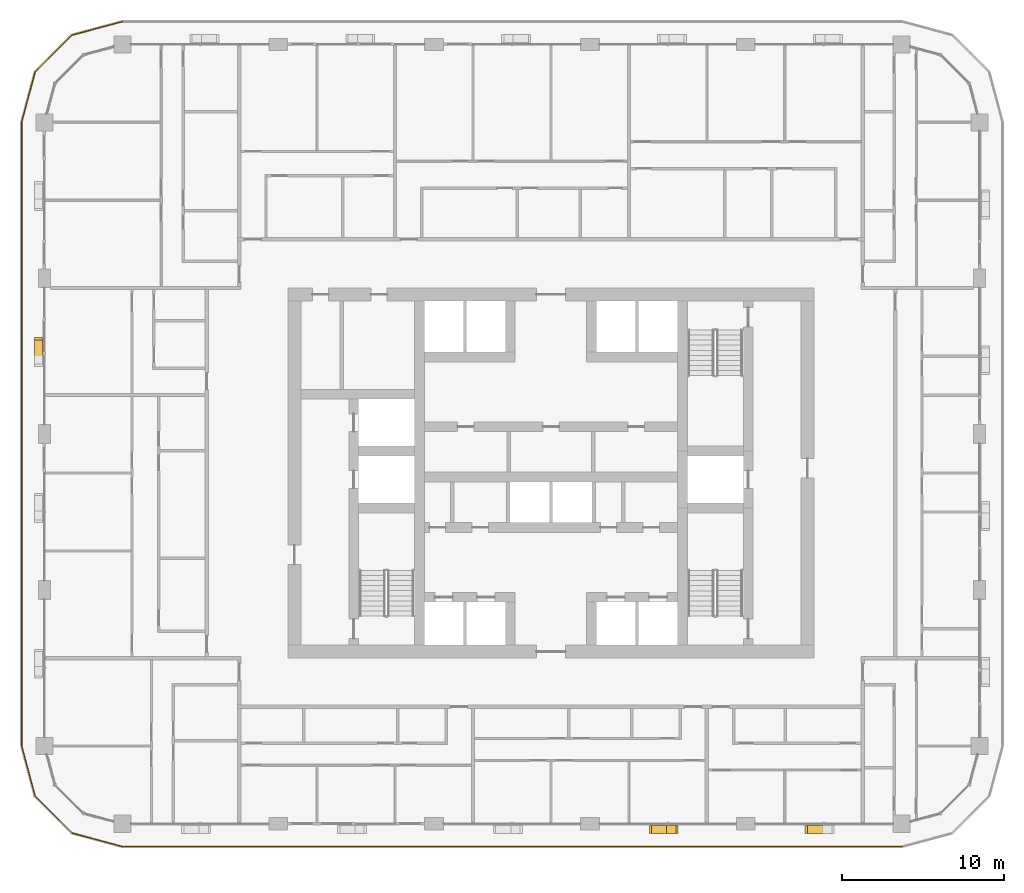
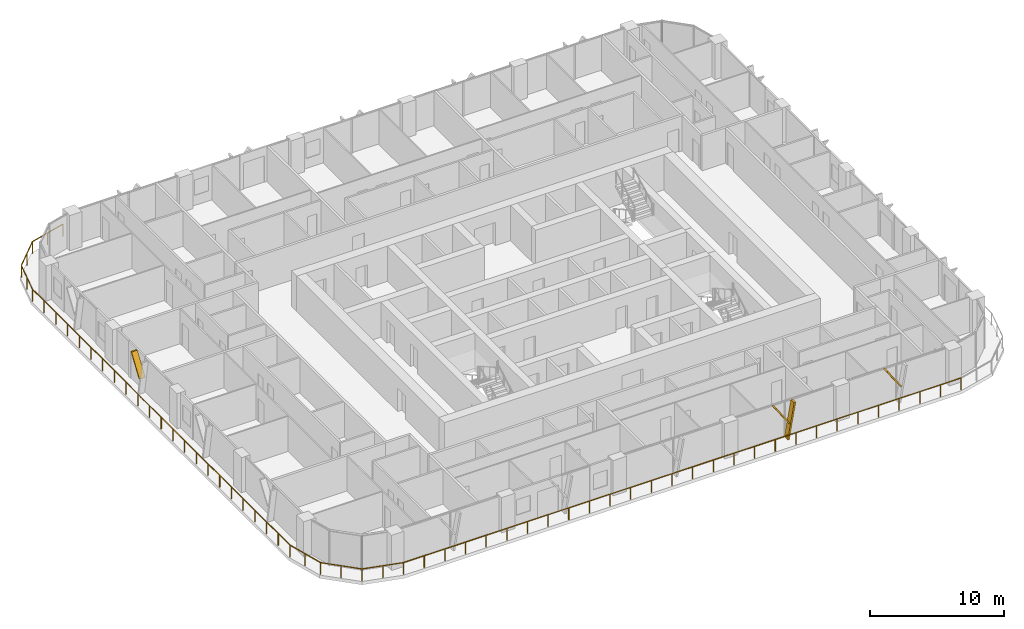
# One storey, part 19 of 23: 4 shading devices, 1 railing.
"""IFC4 building model written with IfcOpenShell, lengths in metres."""

from ifc_helpers import new_model, si_unit, direction, frame, origin, origin_2d, place, context, subcontext, project, spatial, polyline, circle, outline, extrude, material, type_object, element, save


model = new_model("IFC4")

# Units and contexts
model_context = context("Model", 3, precision=1e-05, world=origin(), true_north=direction((0.0, 1.0)))
body_context = subcontext(model_context, "Body", "Model", "MODEL_VIEW")
ifc_project = project(units=[si_unit("LENGTHUNIT", "METRE"), si_unit("AREAUNIT", "SQUARE_METRE"), si_unit("VOLUMEUNIT", "CUBIC_METRE"), si_unit("PLANEANGLEUNIT", "RADIAN"), si_unit("MASSUNIT", "GRAM", prefix="KILO")], contexts=[model_context])

# Site, building, storey
site_placement = place(None, origin())
site = spatial("IfcSite", under=ifc_project, at=site_placement, CompositionType="ELEMENT")
building_placement = place(site_placement, origin())
building = spatial("IfcBuilding", under=site, at=building_placement, Name="Madar Terraces", CompositionType="ELEMENT")
storey_placement = place(building_placement, frame((0.0, 0.0, 133.10009765625)))
storey = spatial("IfcBuildingStorey", under=building, at=storey_placement, Name="L34", CompositionType="ELEMENT", Elevation=133.10009765625)

# Railing
ifc_material_1 = material(Name="Glass, safety glazing, with stainless steel posts", Category="steel")
railing_type = type_object("IfcRailingType", Name="Balcony glass guard 1100", PredefinedType="GUARDRAIL", material=ifc_material_1)
railing_placement = place(storey_placement, frame((4.800048828125, 54.199951171875, 0.0)))
element("IfcRailing", 1, at=railing_placement, inside=storey, type_object=railing_type, Name="Balcony guard", PredefinedType="GUARDRAIL", context=body_context, shape_type="SweptSolid", body=[
    extrude(circle(Radius=0.02392578125, at=origin_2d()), frame((0.0, 0.0, 1.076171875), z_axis=(-0.9659337912, -0.258789317819, 0.0), x_axis=(0.258789317819, -0.9659337912, 0.0)), (0.0, 0.0, 1.0), 3.20947265625),
    extrude(circle(Radius=0.02392578125, at=origin_2d()), frame((-3.10009765625, -0.83056640625, 1.076171875), z_axis=(-0.707106781187, -0.707106781187, 0.0), x_axis=(0.707106781187, -0.707106781187, 0.0)), (0.0, 0.0, 1.0), 3.209228515625),
    extrude(circle(Radius=0.02392578125, at=origin_2d()), frame((-5.369384765625, -3.099853515625, 1.076171875), z_axis=(-0.258789317819, -0.9659337912, 0.0), x_axis=(0.9659337912, -0.258789317819, 0.0)), (0.0, 0.0, 1.0), 3.20947265625),
    extrude(circle(Radius=0.02392578125, at=origin_2d()), frame((-6.199951171875, -6.199951171875, 1.076171875), z_axis=(0.0, -1.0, 0.0), x_axis=(1.0, 0.0, 0.0)), (0.0, 0.0, 1.0), 38.39990234375),
    extrude(circle(Radius=0.02392578125, at=origin_2d()), frame((-6.199951171875, -44.599853515625, 1.076171875), z_axis=(0.258789317819, -0.9659337912, 0.0), x_axis=(0.9659337912, 0.258789317819, 0.0)), (0.0, 0.0, 1.0), 3.20947265625),
    extrude(circle(Radius=0.02392578125, at=origin_2d()), frame((-5.369384765625, -47.699951171875, 1.076171875), z_axis=(0.707106781187, -0.707106781187, 0.0), x_axis=(0.707106781187, 0.707106781187, 0.0)), (0.0, 0.0, 1.0), 3.209228515625),
    extrude(circle(Radius=0.02392578125, at=origin_2d()), frame((-3.10009765625, -49.96923828125, 1.076171875), z_axis=(0.965914773555, -0.258860290944, 0.0), x_axis=(0.258860290944, 0.965914773555, 0.0)), (0.0, 0.0, 1.0), 3.20947265625),
    extrude(circle(Radius=0.02392578125, at=origin_2d()), frame((0.0, -50.800048828125, 1.076171875), z_axis=(1.0, 0.0, 0.0), x_axis=(0.0, 1.0, 0.0)), (0.0, 0.0, 1.0), 48.0),
    extrude(circle(Radius=0.02099609375, at=origin_2d()), origin(), (0.0, 0.0, 1.0), 1.052001953125),
    extrude(circle(Radius=0.02099609375, at=origin_2d()), frame((-1.550048828125, -0.415283203125, 0.0)), (0.0, 0.0, 1.0), 1.052001953125),
    extrude(circle(Radius=0.02099609375, at=origin_2d()), frame((-3.10009765625, -0.83056640625, 0.0)), (0.0, 0.0, 1.0), 1.052001953125),
    extrude(circle(Radius=0.02099609375, at=origin_2d()), frame((-4.23486328125, -1.96533203125, 0.0)), (0.0, 0.0, 1.0), 1.052001953125),
    extrude(circle(Radius=0.02099609375, at=origin_2d()), frame((-5.369384765625, -3.099853515625, 0.0)), (0.0, 0.0, 1.0), 1.052001953125),
    extrude(circle(Radius=0.02099609375, at=origin_2d()), frame((-5.78466796875, -4.64990234375, 0.0)), (0.0, 0.0, 1.0), 1.052001953125),
    extrude(circle(Radius=0.02099609375, at=origin_2d()), frame((-6.199951171875, -6.199951171875, 0.0)), (0.0, 0.0, 1.0), 1.052001953125),
    extrude(circle(Radius=0.02099609375, at=origin_2d()), frame((-6.199951171875, -7.9453125, 0.0)), (0.0, 0.0, 1.0), 1.052001953125),
    extrude(circle(Radius=0.02099609375, at=origin_2d()), frame((-6.199951171875, -9.69091796875, 0.0)), (0.0, 0.0, 1.0), 1.052001953125),
    extrude(circle(Radius=0.02099609375, at=origin_2d()), frame((-6.199951171875, -11.436279296875, 0.0)), (0.0, 0.0, 1.0), 1.052001953125),
    extrude(circle(Radius=0.02099609375, at=origin_2d()), frame((-6.199951171875, -13.181640625, 0.0)), (0.0, 0.0, 1.0), 1.052001953125),
    extrude(circle(Radius=0.02099609375, at=origin_2d()), frame((-6.199951171875, -14.92724609375, 0.0)), (0.0, 0.0, 1.0), 1.052001953125),
    extrude(circle(Radius=0.02099609375, at=origin_2d()), frame((-6.199951171875, -16.672607421875, 0.0)), (0.0, 0.0, 1.0), 1.052001953125),
    extrude(circle(Radius=0.02099609375, at=origin_2d()), frame((-6.199951171875, -18.418212890625, 0.0)), (0.0, 0.0, 1.0), 1.052001953125),
    extrude(circle(Radius=0.02099609375, at=origin_2d()), frame((-6.199951171875, -20.16357421875, 0.0)), (0.0, 0.0, 1.0), 1.052001953125),
    extrude(circle(Radius=0.02099609375, at=origin_2d()), frame((-6.199951171875, -21.908935546875, 0.0)), (0.0, 0.0, 1.0), 1.052001953125),
    extrude(circle(Radius=0.02099609375, at=origin_2d()), frame((-6.199951171875, -23.654541015625, 0.0)), (0.0, 0.0, 1.0), 1.052001953125),
    extrude(circle(Radius=0.02099609375, at=origin_2d()), frame((-6.199951171875, -25.39990234375, 0.0)), (0.0, 0.0, 1.0), 1.052001953125),
    extrude(circle(Radius=0.02099609375, at=origin_2d()), frame((-6.199951171875, -27.145263671875, 0.0)), (0.0, 0.0, 1.0), 1.052001953125),
    extrude(circle(Radius=0.02099609375, at=origin_2d()), frame((-6.199951171875, -28.890869140625, 0.0)), (0.0, 0.0, 1.0), 1.052001953125),
    extrude(circle(Radius=0.02099609375, at=origin_2d()), frame((-6.199951171875, -30.63623046875, 0.0)), (0.0, 0.0, 1.0), 1.052001953125),
    extrude(circle(Radius=0.02099609375, at=origin_2d()), frame((-6.199951171875, -32.381591796875, 0.0)), (0.0, 0.0, 1.0), 1.052001953125),
    extrude(circle(Radius=0.02099609375, at=origin_2d()), frame((-6.199951171875, -34.127197265625, 0.0)), (0.0, 0.0, 1.0), 1.052001953125),
    extrude(circle(Radius=0.02099609375, at=origin_2d()), frame((-6.199951171875, -35.87255859375, 0.0)), (0.0, 0.0, 1.0), 1.052001953125),
    extrude(circle(Radius=0.02099609375, at=origin_2d()), frame((-6.199951171875, -37.6181640625, 0.0)), (0.0, 0.0, 1.0), 1.052001953125),
    extrude(circle(Radius=0.02099609375, at=origin_2d()), frame((-6.199951171875, -39.363525390625, 0.0)), (0.0, 0.0, 1.0), 1.052001953125),
    extrude(circle(Radius=0.02099609375, at=origin_2d()), frame((-6.199951171875, -41.10888671875, 0.0)), (0.0, 0.0, 1.0), 1.052001953125),
    extrude(circle(Radius=0.02099609375, at=origin_2d()), frame((-6.199951171875, -42.8544921875, 0.0)), (0.0, 0.0, 1.0), 1.052001953125),
    extrude(circle(Radius=0.02099609375, at=origin_2d()), frame((-6.199951171875, -44.599853515625, 0.0)), (0.0, 0.0, 1.0), 1.052001953125),
    extrude(circle(Radius=0.02099609375, at=origin_2d()), frame((-5.78466796875, -46.14990234375, 0.0)), (0.0, 0.0, 1.0), 1.052001953125),
    extrude(circle(Radius=0.02099609375, at=origin_2d()), frame((-5.369384765625, -47.699951171875, 0.0)), (0.0, 0.0, 1.0), 1.052001953125),
    extrude(circle(Radius=0.02099609375, at=origin_2d()), frame((-4.23486328125, -48.83447265625, 0.0)), (0.0, 0.0, 1.0), 1.052001953125),
    extrude(circle(Radius=0.02099609375, at=origin_2d()), frame((-3.10009765625, -49.96923828125, 0.0)), (0.0, 0.0, 1.0), 1.052001953125),
    extrude(circle(Radius=0.02099609375, at=origin_2d()), frame((-1.550048828125, -50.384765625, 0.0)), (0.0, 0.0, 1.0), 1.052001953125),
    extrude(circle(Radius=0.02099609375, at=origin_2d()), frame((0.0, -50.800048828125, 0.0)), (0.0, 0.0, 1.0), 1.052001953125),
    extrude(circle(Radius=0.02099609375, at=origin_2d()), frame((1.77783203125, -50.800048828125, 0.0)), (0.0, 0.0, 1.0), 1.052001953125),
    extrude(circle(Radius=0.02099609375, at=origin_2d()), frame((3.5556640625, -50.800048828125, 0.0)), (0.0, 0.0, 1.0), 1.052001953125),
    extrude(circle(Radius=0.02099609375, at=origin_2d()), frame((5.333251953125, -50.800048828125, 0.0)), (0.0, 0.0, 1.0), 1.052001953125),
    extrude(circle(Radius=0.02099609375, at=origin_2d()), frame((7.111083984375, -50.800048828125, 0.0)), (0.0, 0.0, 1.0), 1.052001953125),
    extrude(circle(Radius=0.02099609375, at=origin_2d()), frame((8.888916015625, -50.800048828125, 0.0)), (0.0, 0.0, 1.0), 1.052001953125),
    extrude(circle(Radius=0.02099609375, at=origin_2d()), frame((10.666748046875, -50.800048828125, 0.0)), (0.0, 0.0, 1.0), 1.052001953125),
    extrude(circle(Radius=0.02099609375, at=origin_2d()), frame((12.4443359375, -50.800048828125, 0.0)), (0.0, 0.0, 1.0), 1.052001953125),
    extrude(circle(Radius=0.02099609375, at=origin_2d()), frame((14.22216796875, -50.800048828125, 0.0)), (0.0, 0.0, 1.0), 1.052001953125),
    extrude(circle(Radius=0.02099609375, at=origin_2d()), frame((16.0, -50.800048828125, 0.0)), (0.0, 0.0, 1.0), 1.052001953125),
    extrude(circle(Radius=0.02099609375, at=origin_2d()), frame((17.77783203125, -50.800048828125, 0.0)), (0.0, 0.0, 1.0), 1.052001953125),
    extrude(circle(Radius=0.02099609375, at=origin_2d()), frame((19.5556640625, -50.800048828125, 0.0)), (0.0, 0.0, 1.0), 1.052001953125),
    extrude(circle(Radius=0.02099609375, at=origin_2d()), frame((21.333251953125, -50.800048828125, 0.0)), (0.0, 0.0, 1.0), 1.052001953125),
    extrude(circle(Radius=0.02099609375, at=origin_2d()), frame((23.111083984375, -50.800048828125, 0.0)), (0.0, 0.0, 1.0), 1.052001953125),
    extrude(circle(Radius=0.02099609375, at=origin_2d()), frame((24.888916015625, -50.800048828125, 0.0)), (0.0, 0.0, 1.0), 1.052001953125),
    extrude(circle(Radius=0.02099609375, at=origin_2d()), frame((26.666748046875, -50.800048828125, 0.0)), (0.0, 0.0, 1.0), 1.052001953125),
    extrude(circle(Radius=0.02099609375, at=origin_2d()), frame((28.4443359375, -50.800048828125, 0.0)), (0.0, 0.0, 1.0), 1.052001953125),
    extrude(circle(Radius=0.02099609375, at=origin_2d()), frame((30.22216796875, -50.800048828125, 0.0)), (0.0, 0.0, 1.0), 1.052001953125),
    extrude(circle(Radius=0.02099609375, at=origin_2d()), frame((32.0, -50.800048828125, 0.0)), (0.0, 0.0, 1.0), 1.052001953125),
    extrude(circle(Radius=0.02099609375, at=origin_2d()), frame((33.77783203125, -50.800048828125, 0.0)), (0.0, 0.0, 1.0), 1.052001953125),
    extrude(circle(Radius=0.02099609375, at=origin_2d()), frame((35.5556640625, -50.800048828125, 0.0)), (0.0, 0.0, 1.0), 1.052001953125),
    extrude(circle(Radius=0.02099609375, at=origin_2d()), frame((37.333251953125, -50.800048828125, 0.0)), (0.0, 0.0, 1.0), 1.052001953125),
    extrude(circle(Radius=0.02099609375, at=origin_2d()), frame((39.111083984375, -50.800048828125, 0.0)), (0.0, 0.0, 1.0), 1.052001953125),
    extrude(circle(Radius=0.02099609375, at=origin_2d()), frame((40.888916015625, -50.800048828125, 0.0)), (0.0, 0.0, 1.0), 1.052001953125),
    extrude(circle(Radius=0.02099609375, at=origin_2d()), frame((42.666748046875, -50.800048828125, 0.0)), (0.0, 0.0, 1.0), 1.052001953125),
    extrude(circle(Radius=0.02099609375, at=origin_2d()), frame((44.4443359375, -50.800048828125, 0.0)), (0.0, 0.0, 1.0), 1.052001953125),
    extrude(circle(Radius=0.02099609375, at=origin_2d()), frame((46.22216796875, -50.800048828125, 0.0)), (0.0, 0.0, 1.0), 1.052001953125),
    extrude(circle(Radius=0.02099609375, at=origin_2d()), frame((48.0, -50.800048828125, 0.0)), (0.0, 0.0, 1.0), 1.052001953125),
])

# Shading devices
ifc_material_2 = material(Name="Aluminium, black anodised", Category="aluminium")
shading_device_type = type_object("IfcShadingDeviceType", Name="Facade fin blade 140 x 500", PredefinedType="USERDEFINED", material=ifc_material_2)
shading_device_1_placement = place(storey_placement, frame((38.330078125, 4.449951171875, 0.0), z_axis=(0.0, 0.0, 1.0), x_axis=(1.0, 0.0, 0.0)))
element("IfcShadingDevice", 2, at=shading_device_1_placement, inside=storey, type_object=shading_device_type, Name="FIN L34 S4", ObjectType="FIN", PredefinedType="USERDEFINED", context=body_context, shape_type="SweptSolid", body=[
    extrude(outline(polyline([(0.0, 0.0), (0.139892578125, 0.0), (0.704345703125, 3.199951171875), (0.564208984375, 3.199951171875), (0.0, 0.0)])), frame((0.0, 0.25, 0.0), z_axis=(0.0, -1.0, 0.0), x_axis=(1.0, 0.0, 0.0)), (0.0, 0.0, 1.0), 0.5),
])
shading_device_2_placement = place(storey_placement, frame((38.44384765625, 4.449951171875, 1.43994140625), z_axis=(0.0, 0.0, 1.0), x_axis=(1.0, 0.0, 0.0)))
element("IfcShadingDevice", 3, at=shading_device_2_placement, inside=storey, type_object=shading_device_type, Name="FIN L34 S4 branch", ObjectType="FIN", PredefinedType="USERDEFINED", context=body_context, shape_type="SweptSolid", body=[
    extrude(outline(polyline([(0.0, 0.0), (0.14013671875, 0.0), (-1.049560546875, 1.760009765625), (-1.189697265625, 1.760009765625), (0.0, 0.0)])), frame((0.0, 0.25, 0.0), z_axis=(0.0, -1.0, 0.0), x_axis=(1.0, 0.0, 0.0)), (0.0, 0.0, 1.0), 0.5),
])
shading_device_3_placement = place(storey_placement, frame((48.0439453125, 4.449951171875, 1.43994140625), z_axis=(0.0, 0.0, 1.0), x_axis=(1.0, 0.0, 0.0)))
element("IfcShadingDevice", 4, at=shading_device_3_placement, inside=storey, type_object=shading_device_type, Name="FIN L34 S5 branch", ObjectType="FIN", PredefinedType="USERDEFINED", context=body_context, shape_type="SweptSolid", body=[
    extrude(outline(polyline([(0.0, 0.0), (0.139892578125, 0.0), (-1.049560546875, 1.760009765625), (-1.189697265625, 1.760009765625), (0.0, 0.0)])), frame((0.0, 0.25, 0.0), z_axis=(0.0, -1.0, 0.0), x_axis=(1.0, 0.0, 0.0)), (0.0, 0.0, 1.0), 0.5),
])
shading_device_4_placement = place(storey_placement, frame((-0.35009765625, 33.55615234375, 1.43994140625), z_axis=(0.0, 0.0, 1.0), x_axis=(0.0, -1.0, 0.0)))
element("IfcShadingDevice", 5, at=shading_device_4_placement, inside=storey, type_object=shading_device_type, Name="FIN L34 W2 branch", ObjectType="FIN", PredefinedType="USERDEFINED", context=body_context, shape_type="SweptSolid", body=[
    extrude(outline(polyline([(0.0, 0.0), (0.14013671875, 0.0), (-1.049560546875, 1.760009765625), (-1.189697265625, 1.760009765625), (0.0, 0.0)])), frame((0.0, 0.25, 0.0), z_axis=(0.0, -1.0, 0.0), x_axis=(1.0, 0.0, 0.0)), (0.0, 0.0, 1.0), 0.5),
])

save(model, "model.ifc")
